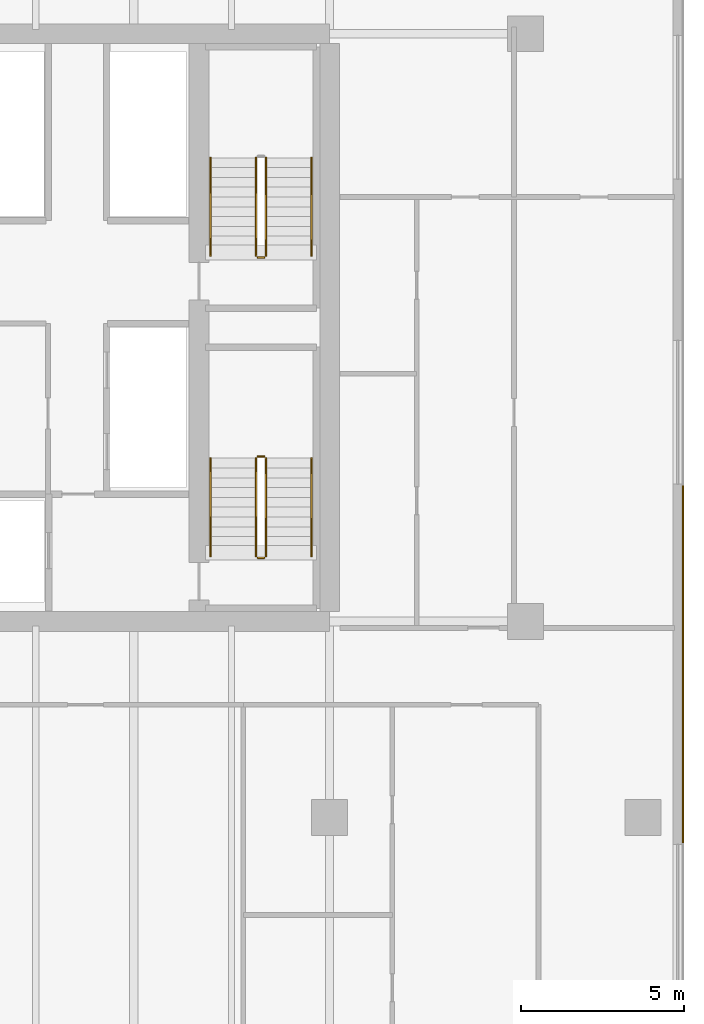
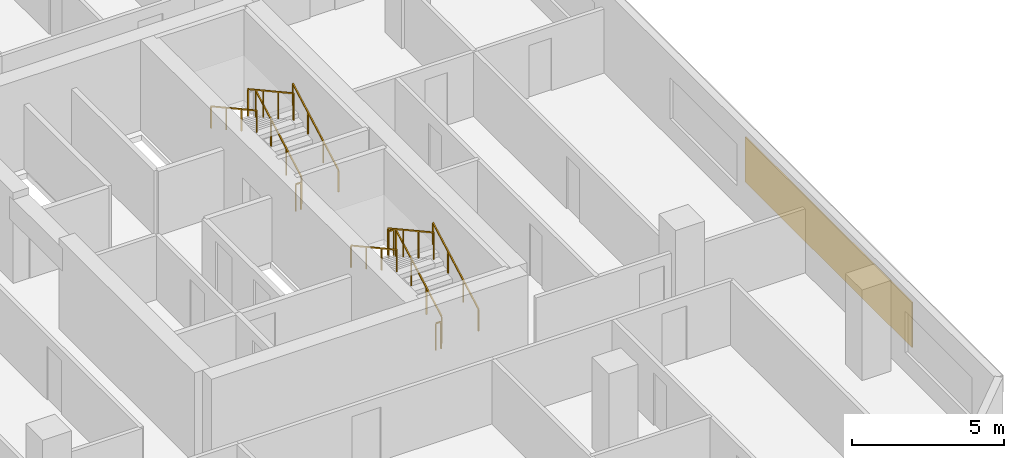
# One storey, part 23 of 25: 11 railings, 1 covering.
"""IFC4 building model written with IfcOpenShell, lengths in metres."""

from ifc_helpers import new_model, si_unit, direction, frame, origin, origin_2d, place, context, subcontext, project, spatial, rectangle, extrude, material, layer, layer_set, type_object, element, save


model = new_model("IFC4")

# Units and contexts
model_context = context("Model", 3, precision=1e-05, world=origin(), true_north=direction((0.0, 1.0)))
body_context = subcontext(model_context, "Body", "Model", "MODEL_VIEW")
ifc_project = project(units=[si_unit("LENGTHUNIT", "METRE"), si_unit("AREAUNIT", "SQUARE_METRE"), si_unit("VOLUMEUNIT", "CUBIC_METRE"), si_unit("PLANEANGLEUNIT", "RADIAN"), si_unit("MASSUNIT", "GRAM", prefix="KILO")], contexts=[model_context])

# Site, building, storey
site_placement = place(None, origin())
site = spatial("IfcSite", under=ifc_project, at=site_placement, CompositionType="ELEMENT")
building_placement = place(site_placement, origin())
building = spatial("IfcBuilding", under=site, at=building_placement, Name="Tanjung Sevakor Pilgrim Tower", CompositionType="ELEMENT")
storey_placement = place(building_placement, frame((0.0, 0.0, 69.6298828125)))
storey = spatial("IfcBuildingStorey", under=building, at=storey_placement, Name="L19", CompositionType="ELEMENT", Elevation=69.6298828125)

# Covering
ifc_material_1 = material(Name="Reconstructed Limestone Cladding", Category="masonry")
ifc_layer = layer(ifc_material_1, 0.044921875)
ifc_layer_set = layer_set([ifc_layer], Name="COV-CLAD-LIMESTONE")
covering_type = type_object("IfcCoveringType", Name="COV-CLAD-LIMESTONE", PredefinedType="CLADDING", material=ifc_layer_set)
covering_placement = place(storey_placement, frame((100.822509765625, 23.28955078125, 0.85009765625), z_axis=(0.0, 0.0, 1.0), x_axis=(0.0, 1.0, 0.0)))
element("IfcCovering", 1, at=covering_placement, inside=storey, type_object=covering_type, Name="L19 Warm Limestone Pier Panel EW-L19-MAIN-7-1", PredefinedType="CLADDING", context=body_context, shape_type="SweptSolid", body=[
    extrude(rectangle(XDim=10.94091796875, YDim=0.044921875, at=origin_2d()), origin(), (0.0, 0.0, 1.0), 1.81005859375),
])

# Railings
ifc_material_2 = material(Name="Steel S355J2", Category="steel")
railing_type_1 = type_object("IfcRailingType", Name="RL-STAIR-GUARD", PredefinedType="GUARDRAIL", material=ifc_material_2)
railing_1_placement = place(storey_placement, frame((88.050048828125, 26.60009765625, 0.1650390625)))
element("IfcRailing", 2, at=railing_1_placement, inside=storey, type_object=railing_type_1, Name="L19 TS-E1 stair guard 1", PredefinedType="GUARDRAIL", context=body_context, shape_type="SweptSolid", body=[
    extrude(rectangle(XDim=0.0479, YDim=0.0479), frame((0.0, 0.0, 1.076171875), z_axis=(0.0, 0.876197842262, 0.481951596342), x_axis=(-1.0, 0.0, 0.0)), (0.0, 0.0, 1.0), 3.423828125),
    extrude(rectangle(XDim=0.042, YDim=0.042), origin(), (0.0, 0.0, 1.0), 1.052001953125),
    extrude(rectangle(XDim=0.042, YDim=0.042), frame((0.0, 1.0, 0.550048828125)), (0.0, 0.0, 1.0), 1.052001953125),
    extrude(rectangle(XDim=0.042, YDim=0.042), frame((0.0, 2.0, 1.10009765625)), (0.0, 0.0, 1.0), 1.052001953125),
    extrude(rectangle(XDim=0.042, YDim=0.042), frame((0.0, 3.0, 1.650146484375)), (0.0, 0.0, 1.0), 1.052001953125),
])
railing_2_placement = place(storey_placement, frame((88.0, 29.64990234375, 1.815185546875)))
element("IfcRailing", 3, at=railing_2_placement, inside=storey, type_object=railing_type_1, Name="L19 TS-E1 stair guard 2", PredefinedType="GUARDRAIL", context=body_context, shape_type="SweptSolid", body=[
    extrude(rectangle(XDim=0.0479, YDim=0.0479), frame((0.0, 0.0, 1.076171875), z_axis=(-1.0, 0.0, 0.0), x_axis=(0.0, -1.0, 0.0)), (0.0, 0.0, 1.0), 0.199951171875),
    extrude(rectangle(XDim=0.042, YDim=0.042), origin(), (0.0, 0.0, 1.0), 1.052001953125),
    extrude(rectangle(XDim=0.042, YDim=0.042), frame((-0.199951171875, 0.0, 0.0)), (0.0, 0.0, 1.0), 1.052001953125),
])
railing_3_placement = place(storey_placement, frame((87.75, 29.60009765625, 1.980224609375)))
element("IfcRailing", 4, at=railing_3_placement, inside=storey, type_object=railing_type_1, Name="L19 TS-E1 stair guard 3", PredefinedType="GUARDRAIL", context=body_context, shape_type="SweptSolid", body=[
    extrude(rectangle(XDim=0.0479, YDim=0.0479), frame((0.0, 0.0, 1.076171875), z_axis=(0.0, -0.876227952683, 0.48189685093), x_axis=(1.0, 0.0, 0.0)), (0.0, 0.0, 1.0), 3.423828125),
    extrude(rectangle(XDim=0.042, YDim=0.042), origin(), (0.0, 0.0, 1.0), 1.052001953125),
    extrude(rectangle(XDim=0.042, YDim=0.042), frame((0.0, -1.0, 0.550048828125)), (0.0, 0.0, 1.0), 1.052001953125),
    extrude(rectangle(XDim=0.042, YDim=0.042), frame((0.0, -2.0, 1.099853515625)), (0.0, 0.0, 1.0), 1.052001953125),
    extrude(rectangle(XDim=0.042, YDim=0.042), frame((0.0, -3.0, 1.64990234375)), (0.0, 0.0, 1.0), 1.052001953125),
])
railing_4_placement = place(storey_placement, frame((88.0, 26.550048828125, 0.0)))
element("IfcRailing", 5, at=railing_4_placement, inside=storey, type_object=railing_type_1, Name="L19 TS-E1 stair guard 4", PredefinedType="GUARDRAIL", context=body_context, shape_type="SweptSolid", body=[
    extrude(rectangle(XDim=0.0479, YDim=0.0479), frame((0.0, 0.0, 1.076171875), z_axis=(-1.0, 0.0, 0.0), x_axis=(0.0, -1.0, 0.0)), (0.0, 0.0, 1.0), 0.199951171875),
    extrude(rectangle(XDim=0.042, YDim=0.042), origin(), (0.0, 0.0, 1.0), 1.052001953125),
    extrude(rectangle(XDim=0.042, YDim=0.042), frame((-0.199951171875, 0.0, 0.0)), (0.0, 0.0, 1.0), 1.052001953125),
])
railing_5_placement = place(storey_placement, frame((88.050048828125, 35.800048828125, 0.1650390625)))
element("IfcRailing", 6, at=railing_5_placement, inside=storey, type_object=railing_type_1, Name="L19 TS-E2 stair guard 1", PredefinedType="GUARDRAIL", context=body_context, shape_type="SweptSolid", body=[
    extrude(rectangle(XDim=0.0479, YDim=0.0479), frame((0.0, 0.0, 1.076171875), z_axis=(0.0, 0.876197842262, 0.481951596342), x_axis=(-1.0, 0.0, 0.0)), (0.0, 0.0, 1.0), 3.423828125),
    extrude(rectangle(XDim=0.042, YDim=0.042), origin(), (0.0, 0.0, 1.0), 1.052001953125),
    extrude(rectangle(XDim=0.042, YDim=0.042), frame((0.0, 1.0, 0.550048828125)), (0.0, 0.0, 1.0), 1.052001953125),
    extrude(rectangle(XDim=0.042, YDim=0.042), frame((0.0, 2.0, 1.10009765625)), (0.0, 0.0, 1.0), 1.052001953125),
    extrude(rectangle(XDim=0.042, YDim=0.042), frame((0.0, 3.0, 1.650146484375)), (0.0, 0.0, 1.0), 1.052001953125),
])
railing_6_placement = place(storey_placement, frame((87.75, 38.800048828125, 1.980224609375)))
element("IfcRailing", 7, at=railing_6_placement, inside=storey, type_object=railing_type_1, Name="L19 TS-E2 stair guard 3", PredefinedType="GUARDRAIL", context=body_context, shape_type="SweptSolid", body=[
    extrude(rectangle(XDim=0.0479, YDim=0.0479), frame((0.0, 0.0, 1.076171875), z_axis=(0.0, -0.876227952683, 0.48189685093), x_axis=(1.0, 0.0, 0.0)), (0.0, 0.0, 1.0), 3.423828125),
    extrude(rectangle(XDim=0.042, YDim=0.042), origin(), (0.0, 0.0, 1.0), 1.052001953125),
    extrude(rectangle(XDim=0.042, YDim=0.042), frame((0.0, -1.0, 0.550048828125)), (0.0, 0.0, 1.0), 1.052001953125),
    extrude(rectangle(XDim=0.042, YDim=0.042), frame((0.0, -2.0, 1.099853515625)), (0.0, 0.0, 1.0), 1.052001953125),
    extrude(rectangle(XDim=0.042, YDim=0.042), frame((0.0, -3.0, 1.64990234375)), (0.0, 0.0, 1.0), 1.052001953125),
])
railing_7_placement = place(storey_placement, frame((88.0, 35.75, 0.0)))
element("IfcRailing", 8, at=railing_7_placement, inside=storey, type_object=railing_type_1, Name="L19 TS-E2 stair guard 4", PredefinedType="GUARDRAIL", context=body_context, shape_type="SweptSolid", body=[
    extrude(rectangle(XDim=0.0479, YDim=0.0479), frame((0.0, 0.0, 1.076171875), z_axis=(-1.0, 0.0, 0.0), x_axis=(0.0, -1.0, 0.0)), (0.0, 0.0, 1.0), 0.199951171875),
    extrude(rectangle(XDim=0.042, YDim=0.042), origin(), (0.0, 0.0, 1.0), 1.052001953125),
    extrude(rectangle(XDim=0.042, YDim=0.042), frame((-0.199951171875, 0.0, 0.0)), (0.0, 0.0, 1.0), 1.052001953125),
])
ifc_material_3 = material(Name="Steel S355J2", Category="steel")
railing_type_2 = type_object("IfcRailingType", Name="RL-STAIR-HAND", PredefinedType="HANDRAIL", material=ifc_material_3)
railing_8_placement = place(storey_placement, frame((89.449951171875, 26.60009765625, 0.1650390625)))
element("IfcRailing", 9, at=railing_8_placement, inside=storey, type_object=railing_type_2, Name="L19 TS-E1 stair handrail 1", PredefinedType="HANDRAIL", context=body_context, shape_type="SweptSolid", body=[
    extrude(rectangle(XDim=0.0479, YDim=0.0479), frame((0.0, 0.0, 0.8759765625), z_axis=(0.0, 0.876197842262, 0.481951596342), x_axis=(-1.0, 0.0, 0.0)), (0.0, 0.0, 1.0), 3.423828125),
    extrude(rectangle(XDim=0.042, YDim=0.042), origin(), (0.0, 0.0, 1.0), 0.851806640625),
    extrude(rectangle(XDim=0.042, YDim=0.042), frame((0.0, 1.0, 0.550048828125)), (0.0, 0.0, 1.0), 0.851806640625),
    extrude(rectangle(XDim=0.042, YDim=0.042), frame((0.0, 2.0, 1.10009765625)), (0.0, 0.0, 1.0), 0.851806640625),
    extrude(rectangle(XDim=0.042, YDim=0.042), frame((0.0, 3.0, 1.650146484375)), (0.0, 0.0, 1.0), 0.851806640625),
])
railing_9_placement = place(storey_placement, frame((86.35009765625, 29.60009765625, 1.980224609375)))
element("IfcRailing", 10, at=railing_9_placement, inside=storey, type_object=railing_type_2, Name="L19 TS-E1 stair handrail 2", PredefinedType="HANDRAIL", context=body_context, shape_type="SweptSolid", body=[
    extrude(rectangle(XDim=0.0479, YDim=0.0479), frame((0.0, 0.0, 0.8759765625), z_axis=(0.0, -0.876227952683, 0.48189685093), x_axis=(1.0, 0.0, 0.0)), (0.0, 0.0, 1.0), 3.423828125),
    extrude(rectangle(XDim=0.042, YDim=0.042), origin(), (0.0, 0.0, 1.0), 0.851806640625),
    extrude(rectangle(XDim=0.042, YDim=0.042), frame((0.0, -1.0, 0.550048828125)), (0.0, 0.0, 1.0), 0.851806640625),
    extrude(rectangle(XDim=0.042, YDim=0.042), frame((0.0, -2.0, 1.099853515625)), (0.0, 0.0, 1.0), 0.851806640625),
    extrude(rectangle(XDim=0.042, YDim=0.042), frame((0.0, -3.0, 1.64990234375)), (0.0, 0.0, 1.0), 0.851806640625),
])
railing_10_placement = place(storey_placement, frame((89.449951171875, 35.800048828125, 0.1650390625)))
element("IfcRailing", 11, at=railing_10_placement, inside=storey, type_object=railing_type_2, Name="L19 TS-E2 stair handrail 1", PredefinedType="HANDRAIL", context=body_context, shape_type="SweptSolid", body=[
    extrude(rectangle(XDim=0.0479, YDim=0.0479), frame((0.0, 0.0, 0.8759765625), z_axis=(0.0, 0.876197842262, 0.481951596342), x_axis=(-1.0, 0.0, 0.0)), (0.0, 0.0, 1.0), 3.423828125),
    extrude(rectangle(XDim=0.042, YDim=0.042), origin(), (0.0, 0.0, 1.0), 0.851806640625),
    extrude(rectangle(XDim=0.042, YDim=0.042), frame((0.0, 1.0, 0.550048828125)), (0.0, 0.0, 1.0), 0.851806640625),
    extrude(rectangle(XDim=0.042, YDim=0.042), frame((0.0, 2.0, 1.10009765625)), (0.0, 0.0, 1.0), 0.851806640625),
    extrude(rectangle(XDim=0.042, YDim=0.042), frame((0.0, 3.0, 1.650146484375)), (0.0, 0.0, 1.0), 0.851806640625),
])
railing_11_placement = place(storey_placement, frame((86.35009765625, 38.800048828125, 1.980224609375)))
element("IfcRailing", 12, at=railing_11_placement, inside=storey, type_object=railing_type_2, Name="L19 TS-E2 stair handrail 2", PredefinedType="HANDRAIL", context=body_context, shape_type="SweptSolid", body=[
    extrude(rectangle(XDim=0.0479, YDim=0.0479), frame((0.0, 0.0, 0.8759765625), z_axis=(0.0, -0.876227952683, 0.48189685093), x_axis=(1.0, 0.0, 0.0)), (0.0, 0.0, 1.0), 3.423828125),
    extrude(rectangle(XDim=0.042, YDim=0.042), origin(), (0.0, 0.0, 1.0), 0.851806640625),
    extrude(rectangle(XDim=0.042, YDim=0.042), frame((0.0, -1.0, 0.550048828125)), (0.0, 0.0, 1.0), 0.851806640625),
    extrude(rectangle(XDim=0.042, YDim=0.042), frame((0.0, -2.0, 1.099853515625)), (0.0, 0.0, 1.0), 0.851806640625),
    extrude(rectangle(XDim=0.042, YDim=0.042), frame((0.0, -3.0, 1.64990234375)), (0.0, 0.0, 1.0), 0.851806640625),
])

save(model, "model.ifc")
